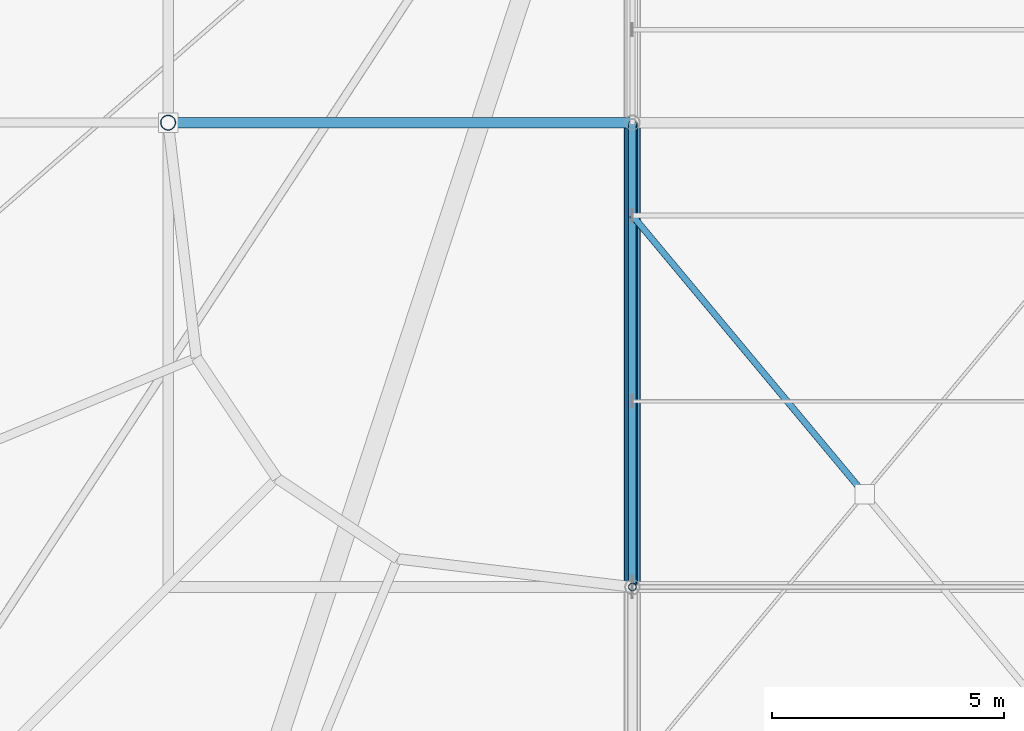
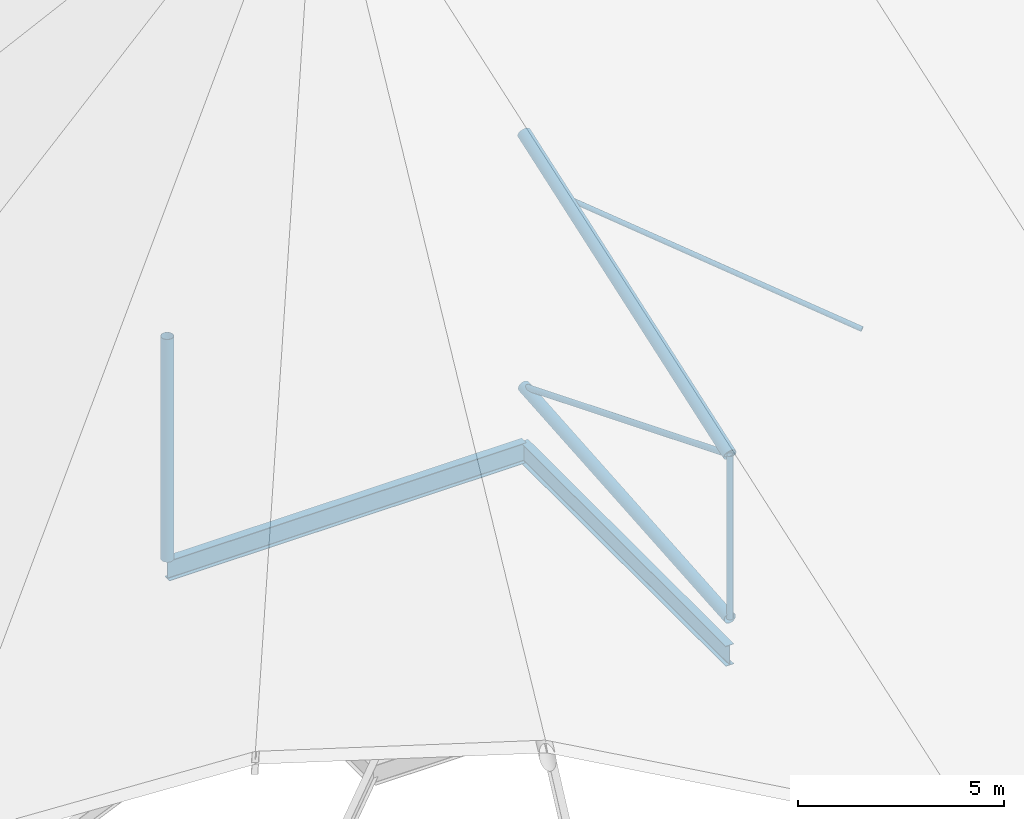
# One storey, part 11 of 93: 6 members, 2 beams.
"""IFC4 building model written with IfcOpenShell, lengths in metres."""

from ifc_helpers import new_model, si_unit, derived_unit, direction, frame, origin, origin_2d_with_axis, place, context, subcontext, project, spatial, hollow_circle, i_section, extrude, material, material_profile, profile_set, type_object, element, save


model = new_model("IFC4")

# Units and contexts
model_context = context("Model", 3, precision=1e-05, world=origin(), true_north=direction((0.0, 1.0)))
body_context = subcontext(model_context, "Body", "Model", "MODEL_VIEW")
ifc_project = project(units=[si_unit("LENGTHUNIT", "METRE"), si_unit("AREAUNIT", "SQUARE_METRE"), si_unit("VOLUMEUNIT", "CUBIC_METRE"), si_unit("PLANEANGLEUNIT", "RADIAN"), si_unit("MASSUNIT", "GRAM", prefix="KILO"), derived_unit("THERMALTRANSMITTANCEUNIT", [(si_unit("POWERUNIT", "WATT"), 1), (si_unit("LENGTHUNIT", "METRE"), -2), (si_unit("THERMODYNAMICTEMPERATUREUNIT", "KELVIN"), -1)])], contexts=[model_context])

# Site, building, storey
site_placement = place(None, origin())
site = spatial("IfcSite", under=ifc_project, at=site_placement, CompositionType="ELEMENT")
building_placement = place(site_placement, origin())
building = spatial("IfcBuilding", under=site, at=building_placement, Name="Cinnabar Yard Market Hall", CompositionType="ELEMENT")
storey_placement = place(building_placement, frame((0.0, 0.0, 23.800048828125)))
storey = spatial("IfcBuildingStorey", under=building, at=storey_placement, Name="ROOF", CompositionType="ELEMENT", Elevation=23.800048828125)

# Beams
ifc_material_1 = material(Name="Steel Grade 300 (300 MPa)", Category="steel")
ifc_material_profile_1 = material_profile(ifc_material_1, i_section(OverallWidth=0.22802734375, OverallDepth=0.60205078125, WebThickness=0.010498046875, FlangeThickness=0.014892578125, FilletRadius=0.013916015625, at=origin_2d_with_axis()), Name="610UB101")
ifc_profile_set_1 = profile_set([ifc_material_profile_1], Name="Steel Grade 300 (300 MPa)")
beam_type = type_object("IfcBeamType", Name="BM-B02", PredefinedType="BEAM", material=ifc_profile_set_1)
for number, where, z_axis, x_axis, name in (
    (1, (76.0, 34.0, -9.700927734375), (1.0, 0.0, 0.0), (0.0, 1.0, 0.0), "Hall Longitudinal Tie Girder 00380"),
    (2, (86.0, 24.0, -9.700927734375), (0.0, 1.0, 0.0), (-1.0, 0.0, 0.0), "Hall Transverse Tie Girder 00416"),
):
    element("IfcBeam", number, at=place(storey_placement, frame(where, z_axis=z_axis, x_axis=x_axis)), inside=storey, type_object=beam_type, Name=name, PredefinedType="BEAM", context=body_context, shape_type="SweptSolid", body=[
        extrude(i_section(OverallWidth=0.22802734375, OverallDepth=0.60205078125, WebThickness=0.010498046875, FlangeThickness=0.014892578125, FilletRadius=0.013916015625, at=origin_2d_with_axis()), origin(), (0.0, 0.0, 1.0), 10.0),
    ])

# Members
ifc_material_2 = material(Name="Cold-formed steel C350L0", Category="steel")
ifc_material_profile_2 = material_profile(ifc_material_2, hollow_circle(Radius=0.161865234375, WallThickness=0.009521484375, at=origin_2d_with_axis()), Name="323.9x9.5CHS")
ifc_profile_set_2 = profile_set([ifc_material_profile_2], Name="Cold-formed steel C350L0")
member_type_1 = type_object("IfcMemberType", Name="MB-BC01", PredefinedType="CHORD", material=ifc_profile_set_2)
member_1_placement = place(storey_placement, frame((86.0, 24.0, -8.60009765625), z_axis=(0.0, 0.99681489162, 0.07975005859), x_axis=(-1.0, 0.0, 0.0)))
element("IfcMember", 3, at=member_1_placement, inside=storey, type_object=member_type_1, Name="Hall Truss 86 Bottom Chord 2", PredefinedType="CHORD", context=body_context, shape_type="SweptSolid", body=[
    extrude(hollow_circle(Radius=0.161865234375, WallThickness=0.009521484375, at=origin_2d_with_axis()), origin(), (0.0, 0.0, 1.0), 10.031982421875),
])
ifc_material_profile_3 = material_profile(ifc_material_2, hollow_circle(Radius=0.084228515625, WallThickness=0.00634765625, at=origin_2d_with_axis()), Name="168.3x6.4CHS")
ifc_profile_set_3 = profile_set([ifc_material_profile_3], Name="Cold-formed steel C350L0")
member_type_2 = type_object("IfcMemberType", Name="MB-DG02", PredefinedType="BRACE", material=ifc_profile_set_3)
member_2_placement = place(storey_placement, frame((86.0, 24.0, -3.76123046875), z_axis=(0.0, 0.927230348791, -0.374491495607), x_axis=(-1.0, 0.0, 0.0)))
element("IfcMember", 4, at=member_2_placement, inside=storey, type_object=member_type_2, Name="Hall Truss 86 Diagonal 2", PredefinedType="BRACE", context=body_context, shape_type="SweptSolid", body=[
    extrude(hollow_circle(Radius=0.084228515625, WallThickness=0.00634765625, at=origin_2d_with_axis()), origin(), (0.0, 0.0, 1.0), 10.784912109375),
])
ifc_material_profile_4 = material_profile(ifc_material_2, hollow_circle(Radius=0.06982421875, WallThickness=0.0048828125, at=origin_2d_with_axis()), Name="139.7x5.0CHS")
ifc_profile_set_4 = profile_set([ifc_material_profile_4], Name="Cold-formed steel C350L0")
member_type_3 = type_object("IfcMemberType", Name="MB-RB01", PredefinedType="BRACE", material=ifc_profile_set_4)
member_3_placement = place(storey_placement, frame((90.919921875, 26.095947265625, -3.03125), z_axis=(-0.618458458622, 0.742168564156, 0.258253668584), x_axis=(-0.768229091176, -0.640175025654, 0.0)))
element("IfcMember", 5, at=member_3_placement, inside=storey, type_object=member_type_3, Name="Roof Plan Split X-Brace 86-20B2", PredefinedType="BRACE", context=body_context, shape_type="SweptSolid", body=[
    extrude(hollow_circle(Radius=0.06982421875, WallThickness=0.0048828125, at=origin_2d_with_axis()), origin(), (0.0, 0.0, 1.0), 7.955078125),
])
ifc_material_3 = material(Name="Spotted-gum glulam-clad steel Grade 350 (350 MPa)", Category="steel")
ifc_material_profile_5 = material_profile(ifc_material_3, hollow_circle(Radius=0.161865234375, WallThickness=0.009521484375, at=origin_2d_with_axis()), Name="323.9x9.5CHS")
ifc_profile_set_5 = profile_set([ifc_material_profile_5], Name="Spotted-gum glulam-clad steel Grade 350 (350 MPa)")
member_type_4 = type_object("IfcMemberType", Name="MB-ST01", PredefinedType="STRUT", material=ifc_profile_set_5)
member_4_placement = place(storey_placement, frame((76.0, 34.0, -9.400146484375), z_axis=(0.0, 0.0, 1.0), x_axis=(1.0, 0.0, 0.0)))
element("IfcMember", 6, at=member_4_placement, inside=storey, type_object=member_type_4, Name="Apsidal Roof Post 76-34", PredefinedType="STRUT", context=body_context, shape_type="SweptSolid", body=[
    extrude(hollow_circle(Radius=0.161865234375, WallThickness=0.009521484375, at=origin_2d_with_axis()), origin(), (0.0, 0.0, 1.0), 6.60009765625),
])
ifc_material_profile_6 = material_profile(ifc_material_2, hollow_circle(Radius=0.177734375, WallThickness=0.0126953125, at=origin_2d_with_axis()), Name="355.6x12.7CHS")
ifc_profile_set_6 = profile_set([ifc_material_profile_6], Name="Cold-formed steel C350L0")
member_type_5 = type_object("IfcMemberType", Name="MB-TC01", PredefinedType="CHORD", material=ifc_profile_set_6)
member_5_placement = place(storey_placement, frame((86.0, 24.0, -3.76123046875), z_axis=(0.0, 0.944432077625, 0.328706633267), x_axis=(-1.0, 0.0, 0.0)))
element("IfcMember", 7, at=member_5_placement, inside=storey, type_object=member_type_5, Name="Hall Truss 86 Top Chord 2", PredefinedType="CHORD", context=body_context, shape_type="SweptSolid", body=[
    extrude(hollow_circle(Radius=0.177734375, WallThickness=0.0126953125, at=origin_2d_with_axis()), origin(), (0.0, 0.0, 1.0), 10.58837890625),
])
ifc_material_profile_7 = material_profile(ifc_material_2, hollow_circle(Radius=0.084228515625, WallThickness=0.00634765625, at=origin_2d_with_axis()), Name="168.3x6.4CHS")
ifc_profile_set_7 = profile_set([ifc_material_profile_7], Name="Cold-formed steel C350L0")
member_type_6 = type_object("IfcMemberType", Name="MB-WB01", PredefinedType="STRUT", material=ifc_profile_set_7)
member_6_placement = place(storey_placement, frame((86.0, 24.0, -8.60009765625), z_axis=(0.0, 0.0, 1.0), x_axis=(1.0, 0.0, 0.0)))
element("IfcMember", 8, at=member_6_placement, inside=storey, type_object=member_type_6, Name="Hall Truss 86 Post 1", PredefinedType="STRUT", context=body_context, shape_type="SweptSolid", body=[
    extrude(hollow_circle(Radius=0.084228515625, WallThickness=0.00634765625, at=origin_2d_with_axis()), origin(), (0.0, 0.0, 1.0), 4.8388671875),
])

save(model, "model.ifc")
